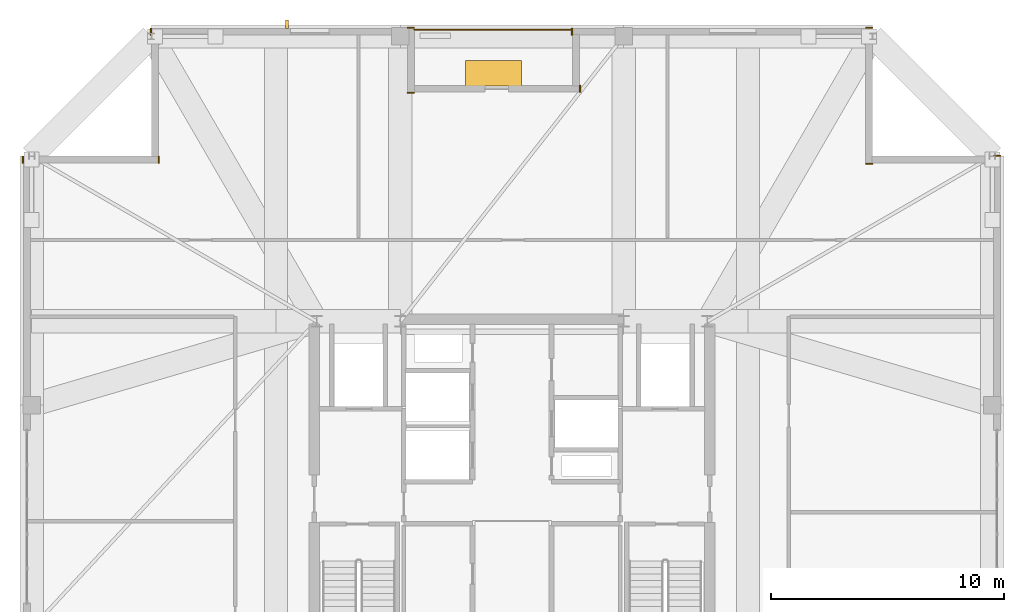
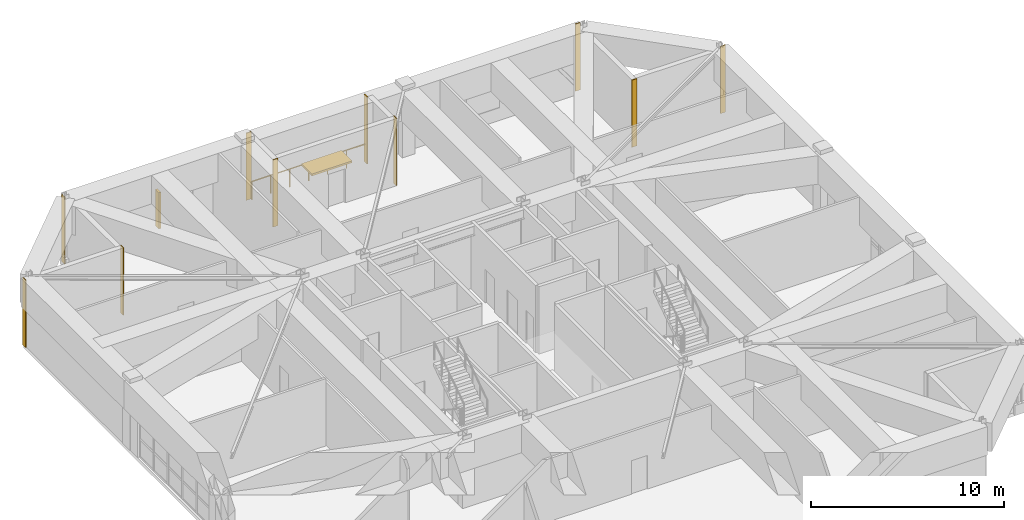
# One storey, part 17 of 17: 10 coverings, 2 shading devices, 1 railing.
"""IFC4 building model written with IfcOpenShell, lengths in metres."""

from ifc_helpers import new_model, si_unit, direction, frame, frame_2d, origin, origin_2d, place, context, subcontext, project, spatial, rectangle, circle, extrude, material, layer, layer_set, type_object, element, save


model = new_model("IFC4")

# Units and contexts
model_context = context("Model", 3, precision=1e-05, world=origin(), true_north=direction((0.0, 1.0)))
body_context = subcontext(model_context, "Body", "Model", "MODEL_VIEW")
ifc_project = project(units=[si_unit("LENGTHUNIT", "METRE"), si_unit("AREAUNIT", "SQUARE_METRE"), si_unit("VOLUMEUNIT", "CUBIC_METRE"), si_unit("PLANEANGLEUNIT", "RADIAN"), si_unit("MASSUNIT", "GRAM", prefix="KILO")], contexts=[model_context])

# Site, building, storey
site_placement = place(None, origin())
site = spatial("IfcSite", under=ifc_project, at=site_placement, CompositionType="ELEMENT")
building_placement = place(site_placement, origin())
building = spatial("IfcBuilding", under=site, at=building_placement, Name="Cairnveth Concourse Tower", CompositionType="ELEMENT")
storey_placement = place(building_placement, frame((0.0, 0.0, 320.0)))
storey = spatial("IfcBuildingStorey", under=building, at=storey_placement, Name="L88", CompositionType="ELEMENT", Elevation=320.0)

# Coverings
ifc_material_1 = material(Name="Dressed Melbourne Bluestone Cladding", Category="masonry")
ifc_layer = layer(ifc_material_1, 0.050048828125)
ifc_layer_set = layer_set([ifc_layer], Name="Dressed Melbourne Bluestone Cladding")
covering_type = type_object("IfcCoveringType", Name="DRESSED BLUESTONE PLINTH CLADDING 50", PredefinedType="CLADDING", material=ifc_layer_set)
for number, where, z_axis, x_axis, name in (
    (1, (54.580078125, 59.699951171875, 0.0), (0.0, 0.0, 1.0), (0.0, 1.0, 0.0), "Melbourne Bluestone Corner Quoin L88-1339"),
    (2, (67.199951171875, 60.02001953125, 0.0), (0.0, 0.0, 1.0), (1.0, 0.0, 0.0), "Melbourne Bluestone Corner Quoin L88-1340"),
    (3, (67.199951171875, 54.179931640625, 0.0), (0.0, 0.0, 1.0), (1.0, 0.0, 0.0), "Melbourne Bluestone Corner Quoin L88-1341"),
    (4, (72.699951171875, 54.52001953125, 0.0), (0.0, 0.0, 1.0), (1.0, 0.0, 0.0), "Melbourne Bluestone Corner Quoin L88-1342"),
    (5, (30.97998046875, 54.199951171875, 0.0), (0.0, 0.0, 1.0), (0.0, 1.0, 0.0), "Melbourne Bluestone Corner Quoin L88-1349"),
    (6, (36.820068359375, 54.199951171875, 0.0), (0.0, 0.0, 1.0), (0.0, 1.0, 0.0), "Melbourne Bluestone Corner Quoin L88-1350"),
    (7, (36.47998046875, 59.699951171875, 0.0), (0.0, 0.0, 1.0), (0.0, 1.0, 0.0), "Melbourne Bluestone Corner Quoin L88-1351"),
    (8, (47.5, 60.02001953125, 0.0), (0.0, 0.0, 1.0), (1.0, 0.0, 0.0), "Melbourne Bluestone Corner Quoin L88-1352"),
    (9, (47.5, 57.22998046875, 0.0), (0.0, 0.0, 1.0), (1.0, 0.0, 0.0), "Melbourne Bluestone Corner Quoin L88-1353"),
    (10, (54.919921875, 57.25, 0.0), (0.0, 0.0, 1.0), (0.0, 1.0, 0.0), "Melbourne Bluestone Corner Quoin L88-1354"),
):
    element("IfcCovering", number, at=place(storey_placement, frame(where, z_axis=z_axis, x_axis=x_axis)), inside=storey, type_object=covering_type, Name=name, PredefinedType="CLADDING", context=body_context, shape_type="SweptSolid", body=[
        extrude(rectangle(XDim=0.300048828125, YDim=0.050048828125, at=frame_2d((0.14990234375, 0.0))), origin(), (0.0, 0.0, 1.0), 4.25),
    ])

# Shading devices
ifc_material_2 = material(Name="Architectural Bronze Anodised Aluminium 6063-T6", Category="aluminium")
shading_device_type_1 = type_object("IfcShadingDeviceType", Name="GOTHIC BRONZE VERTICAL LANCET FIN", PredefinedType="USERDEFINED", material=ifc_material_2)
shading_device_1_placement = place(storey_placement, frame((42.325927734375, 60.175048828125, 0.030029296875), z_axis=(0.0, 0.0, 1.0), x_axis=(1.0, 0.0, 0.0)))
element("IfcShadingDevice", 11, at=shading_device_1_placement, inside=storey, type_object=shading_device_type_1, Name="Gothic Bronze Vertical Fin L88-12-1", ObjectType="VERTICAL FIN", PredefinedType="USERDEFINED", context=body_context, shape_type="SweptSolid", body=[
    extrude(rectangle(XDim=0.1201171875, YDim=0.360107421875, at=origin_2d()), origin(), (0.0, 0.0, 1.0), 2.2900390625),
])
shading_device_type_2 = type_object("IfcShadingDeviceType", Name="SPIRAL TERRACE SUNSHADE CANOPY", PredefinedType="USERDEFINED", material=ifc_material_2)
shading_device_2_placement = place(storey_placement, frame((51.199951171875, 58.070068359375, 2.169921875), z_axis=(0.0, 0.0, 1.0), x_axis=(1.0, 0.0, 0.0)))
element("IfcShadingDevice", 12, at=shading_device_2_placement, inside=storey, type_object=shading_device_type_2, Name="Spiral Terrace Sunshade L88", ObjectType="TERRACE SUNSHADE", PredefinedType="USERDEFINED", context=body_context, shape_type="SweptSolid", body=[
    extrude(rectangle(XDim=2.39990234375, YDim=1.10009765625, at=origin_2d()), origin(), (0.0, 0.0, 1.0), 0.1201171875),
])

# Railing
railing_type = type_object("IfcRailingType", Name="TERRACE BRONZE BALUSTRADE 1150", PredefinedType="BALUSTRADE", material=ifc_material_2)
railing_placement = place(storey_placement, frame((47.800048828125, 59.93994140625, 0.0)))
element("IfcRailing", 13, at=railing_placement, inside=storey, type_object=railing_type, Name="Terrace Balustrade RL-L88-TERR", PredefinedType="BALUSTRADE", context=body_context, shape_type="SweptSolid", body=[
    extrude(circle(Radius=0.02490234375, at=origin_2d()), frame((0.0, 0.0, 1.125), z_axis=(1.0, 0.0, 0.0), x_axis=(0.0, 1.0, 0.0)), (0.0, 0.0, 1.0), 6.800048828125),
    extrude(circle(Radius=0.02099609375, at=origin_2d()), origin(), (0.0, 0.0, 1.0), 1.099853515625),
    extrude(circle(Radius=0.02099609375, at=origin_2d()), frame((1.13330078125, 0.0, 0.0)), (0.0, 0.0, 1.0), 1.099853515625),
    extrude(circle(Radius=0.02099609375, at=origin_2d()), frame((2.2666015625, 0.0, 0.0)), (0.0, 0.0, 1.0), 1.099853515625),
    extrude(circle(Radius=0.02099609375, at=origin_2d()), frame((3.39990234375, 0.0, 0.0)), (0.0, 0.0, 1.0), 1.099853515625),
    extrude(circle(Radius=0.02099609375, at=origin_2d()), frame((4.533447265625, 0.0, 0.0)), (0.0, 0.0, 1.0), 1.099853515625),
    extrude(circle(Radius=0.02099609375, at=origin_2d()), frame((5.666748046875, 0.0, 0.0)), (0.0, 0.0, 1.0), 1.099853515625),
    extrude(circle(Radius=0.02099609375, at=origin_2d()), frame((6.800048828125, 0.0, 0.0)), (0.0, 0.0, 1.0), 1.099853515625),
])

save(model, "model.ifc")
